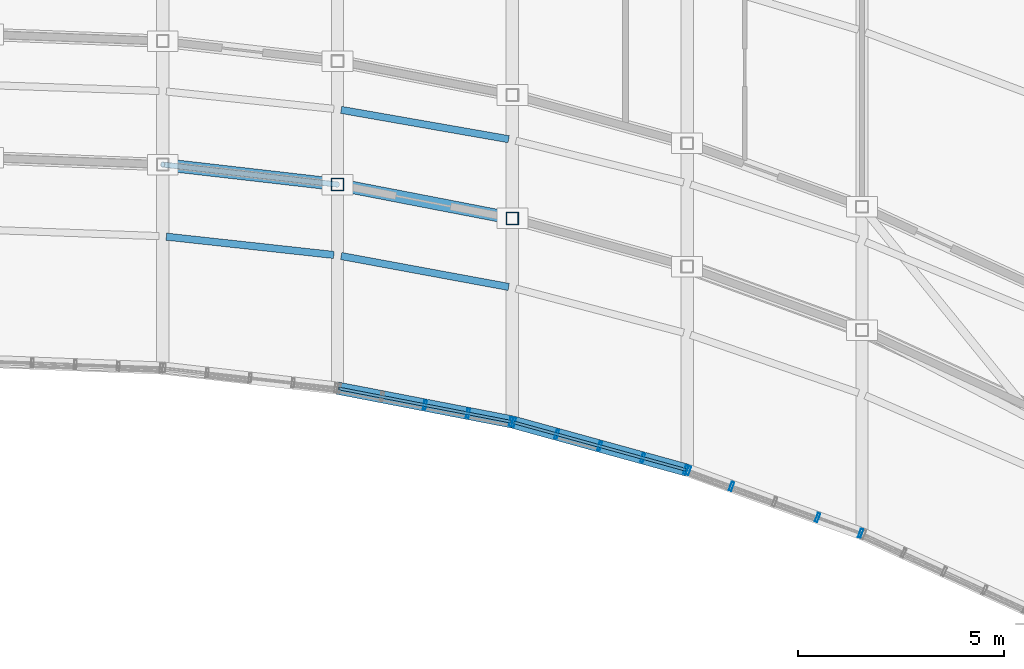
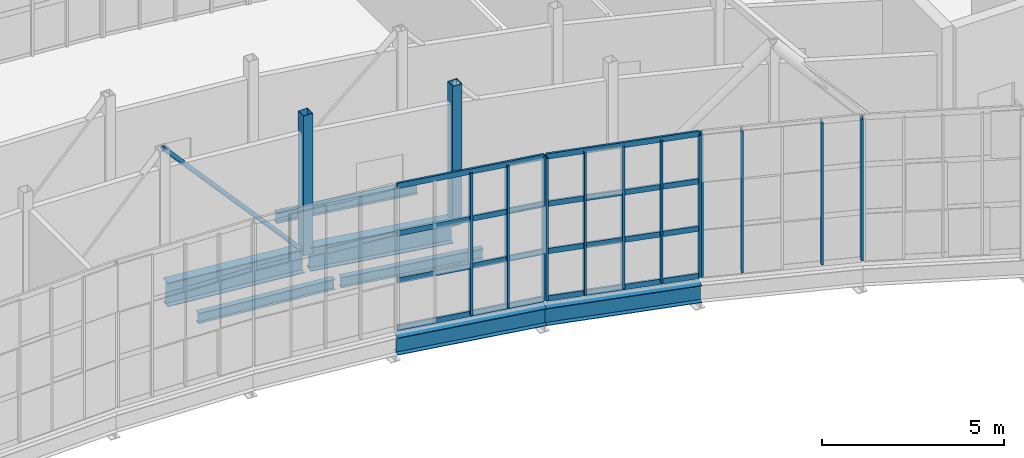
# One storey, part 22 of 46: 23 members, 7 beams, 3 elements without a shape of their own.
"""IFC4 building model written with IfcOpenShell, lengths in metres."""

from ifc_helpers import new_model, si_unit, direction, frame, origin, origin_2d, place, context, subcontext, project, spatial, hollow_rectangle, hollow_circle, i_section, extrude, material, material_profile, profile_set, type_object, element, aggregate, save


model = new_model("IFC4")

# Units and contexts
model_context = context("Model", 3, precision=1e-05, world=origin(), true_north=direction((0.0, 1.0)))
body_context = subcontext(model_context, "Body", "Model", "MODEL_VIEW")
ifc_project = project(units=[si_unit("LENGTHUNIT", "METRE"), si_unit("AREAUNIT", "SQUARE_METRE"), si_unit("VOLUMEUNIT", "CUBIC_METRE"), si_unit("PLANEANGLEUNIT", "RADIAN"), si_unit("MASSUNIT", "GRAM", prefix="KILO")], contexts=[model_context])

# Site, building, storey
site_placement = place(None, origin())
site = spatial("IfcSite", under=ifc_project, at=site_placement, CompositionType="ELEMENT")
building_placement = place(site_placement, origin())
building = spatial("IfcBuilding", under=site, at=building_placement, Name="Solvikara Media Centre", CompositionType="ELEMENT")
storey_placement = place(building_placement, frame((0.0, 0.0, 24.60009765625)))
storey = spatial("IfcBuildingStorey", under=building, at=storey_placement, Name="L05", CompositionType="ELEMENT", Elevation=24.60009765625)

# Beams
ifc_material_1 = material(Name="Steel S355JR", Category="steel")
ifc_material_profile_1 = material_profile(ifc_material_1, i_section(OverallWidth=0.300048828125, OverallDepth=0.800048828125, WebThickness=0.013916015625, FlangeThickness=0.02587890625, at=origin_2d()), Name="WF 800x300x14x26")
ifc_profile_set_1 = profile_set([ifc_material_profile_1], Name="Steel S355JR")
beam_type_1 = type_object("IfcBeamType", Name="BM-16", PredefinedType="BEAM", material=ifc_profile_set_1)
beam_1_placement = place(storey_placement, frame((106.339111328125, 30.2451171875, -0.6220703125), z_axis=(0.993485932274, -0.113954826025, 0.0), x_axis=(0.113954826025, 0.993485932274, 0.0)))
element("IfcBeam", 1, at=beam_1_placement, inside=storey, type_object=beam_type_1, Name="B-L05-SPNS-07", PredefinedType="BEAM", context=body_context, shape_type="SweptSolid", body=[
    extrude(i_section(OverallWidth=0.300048828125, OverallDepth=0.800048828125, WebThickness=0.013916015625, FlangeThickness=0.02587890625, at=origin_2d()), origin(), (0.0, 0.0, 1.0), 4.098388671875),
])
beam_2_placement = place(storey_placement, frame((110.587890625, 29.7509765625, -0.6220703125), z_axis=(0.981801087979, -0.189912147171, 0.0), x_axis=(0.189912147171, 0.981801087979, 0.0)))
element("IfcBeam", 2, at=beam_2_placement, inside=storey, type_object=beam_type_1, Name="B-L05-SPNS-08", PredefinedType="BEAM", context=body_context, shape_type="SweptSolid", body=[
    extrude(i_section(OverallWidth=0.300048828125, OverallDepth=0.800048828125, WebThickness=0.013916015625, FlangeThickness=0.02587890625, at=origin_2d()), origin(), (0.0, 0.0, 1.0), 4.149658203125),
])
ifc_material_profile_2 = material_profile(ifc_material_1, i_section(OverallWidth=0.175048828125, OverallDepth=0.35009765625, WebThickness=0.007080078125, FlangeThickness=0.010986328125, at=origin_2d()), Name="WF 350x175x7x11")
ifc_profile_set_2 = profile_set([ifc_material_profile_2], Name="Steel S355JR")
beam_type_2 = type_object("IfcBeamType", Name="BM-22", PredefinedType="JOIST", material=ifc_profile_set_2)
beam_3_placement = place(storey_placement, frame((106.339111328125, 28.501953125, -0.397216796875), z_axis=(0.994079138151, -0.108658488359, 0.0), x_axis=(0.108658488359, 0.994079138151, 0.0)))
element("IfcBeam", 3, at=beam_3_placement, inside=storey, type_object=beam_type_2, Name="BJ-L05-07-20", PredefinedType="JOIST", context=body_context, shape_type="SweptSolid", body=[
    extrude(i_section(OverallWidth=0.175048828125, OverallDepth=0.35009765625, WebThickness=0.007080078125, FlangeThickness=0.010986328125, at=origin_2d()), origin(), (0.0, 0.0, 1.0), 4.095947265625),
])
beam_4_placement = place(storey_placement, frame((110.589111328125, 28.031005859375, -0.397216796875), z_axis=(0.983371814175, -0.181603620797, 0.0), x_axis=(0.181603620797, 0.983371814175, 0.0)))
element("IfcBeam", 4, at=beam_4_placement, inside=storey, type_object=beam_type_2, Name="BJ-L05-08-20", PredefinedType="JOIST", context=body_context, shape_type="SweptSolid", body=[
    extrude(i_section(OverallWidth=0.175048828125, OverallDepth=0.35009765625, WebThickness=0.007080078125, FlangeThickness=0.010986328125, at=origin_2d()), origin(), (0.0, 0.0, 1.0), 4.140625),
])
beam_5_placement = place(storey_placement, frame((110.589111328125, 31.583984375, -0.397216796875), z_axis=(0.985016925608, -0.172457694134, 0.0), x_axis=(0.172457694134, 0.985016925608, 0.0)))
element("IfcBeam", 5, at=beam_5_placement, inside=storey, type_object=beam_type_2, Name="BJ-L05-08-42", PredefinedType="JOIST", context=body_context, shape_type="SweptSolid", body=[
    extrude(i_section(OverallWidth=0.175048828125, OverallDepth=0.35009765625, WebThickness=0.007080078125, FlangeThickness=0.010986328125, at=origin_2d()), origin(), (0.0, 0.0, 1.0), 4.1337890625),
])
ifc_material_profile_3 = material_profile(ifc_material_1, i_section(OverallWidth=0.300048828125, OverallDepth=0.58203125, WebThickness=0.011962890625, FlangeThickness=0.01708984375, at=origin_2d()), Name="WF 582x300x12x17")
ifc_profile_set_3 = profile_set([ifc_material_profile_3], Name="Steel S355JR")
beam_type_3 = type_object("IfcBeamType", Name="BM-31", PredefinedType="SPANDREL", material=ifc_profile_set_3)
beam_6_placement = place(storey_placement, frame((110.5, 24.818115234375, -0.51318359375), z_axis=(0.981803941213, -0.189897396029, 0.0), x_axis=(0.189897396029, 0.981803941213, 0.0)))
element("IfcBeam", 6, at=beam_6_placement, inside=storey, type_object=beam_type_3, Name="B-L05-SARC-08", PredefinedType="SPANDREL", context=body_context, shape_type="SweptSolid", body=[
    extrude(i_section(OverallWidth=0.300048828125, OverallDepth=0.58203125, WebThickness=0.011962890625, FlangeThickness=0.01708984375, at=origin_2d()), origin(), (0.0, 0.0, 1.0), 4.328857421875),
])
beam_7_placement = place(storey_placement, frame((114.75, 23.99609375, -0.51318359375), z_axis=(0.964009749544, -0.265866889221, 0.0), x_axis=(0.265866889221, 0.964009749544, 0.0)))
element("IfcBeam", 7, at=beam_7_placement, inside=storey, type_object=beam_type_3, Name="B-L05-SARC-09", PredefinedType="SPANDREL", context=body_context, shape_type="SweptSolid", body=[
    extrude(i_section(OverallWidth=0.300048828125, OverallDepth=0.58203125, WebThickness=0.011962890625, FlangeThickness=0.01708984375, at=origin_2d()), origin(), (0.0, 0.0, 1.0), 4.40869140625),
])

# Members
ifc_material_profile_4 = material_profile(ifc_material_1, hollow_circle(Radius=0.06982421875, WallThickness=0.00634765625, at=origin_2d()), Name="CHS 139.7x6.3")
ifc_profile_set_4 = profile_set([ifc_material_profile_4], Name="Steel S355JR")
member_type_1 = type_object("IfcMemberType", Name="MB-08", PredefinedType="BRACE", material=ifc_profile_set_4)
member_1_placement = place(storey_placement, frame((106.25, 30.2548828125, 4.25), z_axis=(0.668720864465, -0.076598656005, -0.739557334713), x_axis=(0.113800903571, 0.993503575407, 0.0)))
element("IfcMember", 8, at=member_1_placement, inside=storey, type_object=member_type_1, Name="WTR-L05-S-DB07", PredefinedType="BRACE", context=body_context, shape_type="SweptSolid", body=[
    extrude(hollow_circle(Radius=0.06982421875, WallThickness=0.00634765625, at=origin_2d()), origin(), (0.0, 0.0, 1.0), 6.35546875),
])
ifc_material_profile_5 = material_profile(ifc_material_1, hollow_rectangle(XDim=0.300048828125, YDim=0.300048828125, WallThickness=0.012451171875, at=origin_2d()), Name="RHS 300x300x12.5")
ifc_profile_set_5 = profile_set([ifc_material_profile_5], Name="Steel S355JR")
member_type_2 = type_object("IfcMemberType", Name="MB-11", PredefinedType="CHORD", material=ifc_profile_set_5)
for number, where, z_axis, x_axis, name in (
    (9, (110.5, 29.76806640625, -0.4501953125), (0.0, 0.0, 1.0), (1.0, 0.0, 0.0), "WTR-L05-S-V08"),
    (10, (114.75, 28.946044921875, -0.4501953125), (0.0, 0.0, 1.0), (1.0, 0.0, 0.0), "WTR-L05-S-V09"),
):
    element("IfcMember", number, at=place(storey_placement, frame(where, z_axis=z_axis, x_axis=x_axis)), inside=storey, type_object=member_type_2, Name=name, PredefinedType="CHORD", context=body_context, shape_type="SweptSolid", body=[
        extrude(hollow_rectangle(XDim=0.300048828125, YDim=0.300048828125, WallThickness=0.012451171875, at=origin_2d()), origin(), (0.0, 0.0, 1.0), 4.7001953125),
    ])

# Curtain wall, members
ifc_material_2 = material(Name="Anodised aluminium EN AW-6063", Category="aluminium")
curtain_wall_type = type_object("IfcCurtainWallType", Name="CW-01", PredefinedType="NOTDEFINED", material=ifc_material_2)
curtain_wall_1_placement = place(storey_placement, origin())
curtain_wall_1 = element("IfcCurtainWall", 11, at=curtain_wall_1_placement, inside=storey, type_object=curtain_wall_type, Name="CW-L05-SARC-08", PredefinedType="NOTDEFINED")
ifc_material_profile_6 = material_profile(ifc_material_2, hollow_rectangle(XDim=0.06494140625, YDim=0.219970703125, WallThickness=0.00390625, at=origin_2d()), Name="ALU-M 65x220x4")
ifc_profile_set_6 = profile_set([ifc_material_profile_6], Name="Anodised aluminium EN AW-6063")
member_type_3 = type_object("IfcMemberType", Name="MF-01", PredefinedType="MULLION", material=ifc_profile_set_6)
member_2_placement = place(storey_placement, frame((112.625, 24.406982421875, 0.02001953125), z_axis=(0.0, 0.0, 1.0), x_axis=(0.981843017659, -0.189695252114, 0.0)))
member_2 = element("IfcMember", 12, at=member_2_placement, type_object=member_type_3, Name="CW-L05-SARC-08-M02", PredefinedType="MULLION", context=body_context, shape_type="SweptSolid", body=[
    extrude(hollow_rectangle(XDim=0.06494140625, YDim=0.219970703125, WallThickness=0.00390625, at=origin_2d()), origin(), (0.0, 0.0, 1.0), 4.759765625),
])
member_3_placement = place(storey_placement, frame((113.6708984375, 24.205078125, 0.02001953125), z_axis=(0.0, 0.0, 1.0), x_axis=(0.981843017659, -0.189695252114, 0.0)))
member_3 = element("IfcMember", 13, at=member_3_placement, type_object=member_type_3, Name="CW-L05-SARC-08-M03", PredefinedType="MULLION", context=body_context, shape_type="SweptSolid", body=[
    extrude(hollow_rectangle(XDim=0.06494140625, YDim=0.219970703125, WallThickness=0.00390625, at=origin_2d()), origin(), (0.0, 0.0, 1.0), 4.759765625),
])
member_4_placement = place(storey_placement, frame((114.716064453125, 24.0029296875, 0.02001953125), z_axis=(0.0, 0.0, 1.0), x_axis=(0.981843017659, -0.189695252114, 0.0)))
member_4 = element("IfcMember", 14, at=member_4_placement, type_object=member_type_3, Name="CW-L05-SARC-08-M04", PredefinedType="MULLION", context=body_context, shape_type="SweptSolid", body=[
    extrude(hollow_rectangle(XDim=0.06494140625, YDim=0.219970703125, WallThickness=0.00390625, at=origin_2d()), origin(), (0.0, 0.0, 1.0), 4.759765625),
])

curtain_wall_2_placement = place(storey_placement, origin())
curtain_wall_2 = element("IfcCurtainWall", 15, at=curtain_wall_2_placement, inside=storey, type_object=curtain_wall_type, Name="CW-L05-SARC-09", PredefinedType="NOTDEFINED")
member_5_placement = place(storey_placement, frame((114.783935546875, 23.987060546875, 0.02001953125), z_axis=(0.0, 0.0, 1.0), x_axis=(0.96397015682, -0.26601040724, 0.0)))
member_5 = element("IfcMember", 16, at=member_5_placement, type_object=member_type_3, Name="CW-L05-SARC-09-M00", PredefinedType="MULLION", context=body_context, shape_type="SweptSolid", body=[
    extrude(hollow_rectangle(XDim=0.06494140625, YDim=0.219970703125, WallThickness=0.00390625, at=origin_2d()), origin(), (0.0, 0.0, 1.0), 4.759765625),
])
member_6_placement = place(storey_placement, frame((115.830078125, 23.697998046875, 0.02001953125), z_axis=(0.0, 0.0, 1.0), x_axis=(0.96397015682, -0.26601040724, 0.0)))
member_6 = element("IfcMember", 17, at=member_6_placement, type_object=member_type_3, Name="CW-L05-SARC-09-M01", PredefinedType="MULLION", context=body_context, shape_type="SweptSolid", body=[
    extrude(hollow_rectangle(XDim=0.06494140625, YDim=0.219970703125, WallThickness=0.00390625, at=origin_2d()), origin(), (0.0, 0.0, 1.0), 4.759765625),
])
member_7_placement = place(storey_placement, frame((116.875, 23.409912109375, 0.02001953125), z_axis=(0.0, 0.0, 1.0), x_axis=(0.96397015682, -0.26601040724, 0.0)))
member_7 = element("IfcMember", 18, at=member_7_placement, type_object=member_type_3, Name="CW-L05-SARC-09-M02", PredefinedType="MULLION", context=body_context, shape_type="SweptSolid", body=[
    extrude(hollow_rectangle(XDim=0.06494140625, YDim=0.219970703125, WallThickness=0.00390625, at=origin_2d()), origin(), (0.0, 0.0, 1.0), 4.759765625),
])
member_8_placement = place(storey_placement, frame((117.9208984375, 23.12109375, 0.02001953125), z_axis=(0.0, 0.0, 1.0), x_axis=(0.96397015682, -0.26601040724, 0.0)))
member_8 = element("IfcMember", 19, at=member_8_placement, type_object=member_type_3, Name="CW-L05-SARC-09-M03", PredefinedType="MULLION", context=body_context, shape_type="SweptSolid", body=[
    extrude(hollow_rectangle(XDim=0.06494140625, YDim=0.219970703125, WallThickness=0.00390625, at=origin_2d()), origin(), (0.0, 0.0, 1.0), 4.759765625),
])
member_9_placement = place(storey_placement, frame((118.966064453125, 22.8330078125, 0.02001953125), z_axis=(0.0, 0.0, 1.0), x_axis=(0.96397015682, -0.26601040724, 0.0)))
member_9 = element("IfcMember", 20, at=member_9_placement, type_object=member_type_3, Name="CW-L05-SARC-09-M04", PredefinedType="MULLION", context=body_context, shape_type="SweptSolid", body=[
    extrude(hollow_rectangle(XDim=0.06494140625, YDim=0.219970703125, WallThickness=0.00390625, at=origin_2d()), origin(), (0.0, 0.0, 1.0), 4.759765625),
])

curtain_wall_3_placement = place(storey_placement, origin())
curtain_wall_3 = element("IfcCurtainWall", 21, at=curtain_wall_3_placement, inside=storey, type_object=curtain_wall_type, Name="CW-L05-SARC-10", PredefinedType="NOTDEFINED")
member_10_placement = place(storey_placement, frame((119.032958984375, 22.81201171875, 0.02001953125), z_axis=(0.0, 0.0, 1.0), x_axis=(0.939823877818, -0.341659302058, 0.0)))
member_10 = element("IfcMember", 22, at=member_10_placement, type_object=member_type_3, Name="CW-L05-SARC-10-M00", PredefinedType="MULLION", context=body_context, shape_type="SweptSolid", body=[
    extrude(hollow_rectangle(XDim=0.06494140625, YDim=0.219970703125, WallThickness=0.00390625, at=origin_2d()), origin(), (0.0, 0.0, 1.0), 4.759765625),
])
member_11_placement = place(storey_placement, frame((120.0791015625, 22.431884765625, 0.02001953125), z_axis=(0.0, 0.0, 1.0), x_axis=(0.939823877818, -0.341659302058, 0.0)))
member_11 = element("IfcMember", 23, at=member_11_placement, type_object=member_type_3, Name="CW-L05-SARC-10-M01", PredefinedType="MULLION", context=body_context, shape_type="SweptSolid", body=[
    extrude(hollow_rectangle(XDim=0.06494140625, YDim=0.219970703125, WallThickness=0.00390625, at=origin_2d()), origin(), (0.0, 0.0, 1.0), 4.759765625),
])
member_12_placement = place(storey_placement, frame((122.1708984375, 21.6708984375, 0.02001953125), z_axis=(0.0, 0.0, 1.0), x_axis=(0.939823877818, -0.341659302058, 0.0)))
member_12 = element("IfcMember", 24, at=member_12_placement, type_object=member_type_3, Name="CW-L05-SARC-10-M03", PredefinedType="MULLION", context=body_context, shape_type="SweptSolid", body=[
    extrude(hollow_rectangle(XDim=0.06494140625, YDim=0.219970703125, WallThickness=0.00390625, at=origin_2d()), origin(), (0.0, 0.0, 1.0), 4.759765625),
])
member_13_placement = place(storey_placement, frame((123.217041015625, 21.291015625, 0.02001953125), z_axis=(0.0, 0.0, 1.0), x_axis=(0.939823877818, -0.341659302058, 0.0)))
member_13 = element("IfcMember", 25, at=member_13_placement, type_object=member_type_3, Name="CW-L05-SARC-10-M04", PredefinedType="MULLION", context=body_context, shape_type="SweptSolid", body=[
    extrude(hollow_rectangle(XDim=0.06494140625, YDim=0.219970703125, WallThickness=0.00390625, at=origin_2d()), origin(), (0.0, 0.0, 1.0), 4.759765625),
])
aggregate(curtain_wall_3, [member_10, member_11, member_12, member_13])

# Member
ifc_material_profile_7 = material_profile(ifc_material_2, hollow_rectangle(XDim=0.06494140625, YDim=0.179931640625, WallThickness=0.00341796875, at=origin_2d()), Name="ALU-T 65x180x3.5")
ifc_profile_set_7 = profile_set([ifc_material_profile_7], Name="Anodised aluminium EN AW-6063")
member_type_4 = type_object("IfcMemberType", Name="MF-07", PredefinedType="USERDEFINED", material=ifc_profile_set_7)
member_14_placement = place(storey_placement, frame((110.533935546875, 24.81103515625, 0.02001953125), z_axis=(0.981838442996, -0.189718928565, 0.0), x_axis=(0.189718928565, 0.981838442996, 0.0)))
member_14 = element("IfcMember", 26, at=member_14_placement, type_object=member_type_4, Name="CW-L05-SARC-08-T00", ObjectType="TRANSOM", PredefinedType="USERDEFINED", context=body_context, shape_type="SweptSolid", body=[
    extrude(hollow_rectangle(XDim=0.06494140625, YDim=0.179931640625, WallThickness=0.00341796875, at=origin_2d()), origin(), (0.0, 0.0, 1.0), 4.259521484375),
])

member_15_placement = place(storey_placement, frame((110.533935546875, 24.81103515625, 1.60693359375), z_axis=(0.981838442996, -0.189718928565, 0.0), x_axis=(0.189718928565, 0.981838442996, 0.0)))
member_15 = element("IfcMember", 27, at=member_15_placement, type_object=member_type_4, Name="CW-L05-SARC-08-T01", ObjectType="TRANSOM", PredefinedType="USERDEFINED", context=body_context, shape_type="SweptSolid", body=[
    extrude(hollow_rectangle(XDim=0.06494140625, YDim=0.179931640625, WallThickness=0.00341796875, at=origin_2d()), origin(), (0.0, 0.0, 1.0), 4.259521484375),
])

member_16_placement = place(storey_placement, frame((110.533935546875, 24.81103515625, 3.19287109375), z_axis=(0.981838442996, -0.189718928565, 0.0), x_axis=(0.189718928565, 0.981838442996, 0.0)))
member_16 = element("IfcMember", 28, at=member_16_placement, type_object=member_type_4, Name="CW-L05-SARC-08-T02", ObjectType="TRANSOM", PredefinedType="USERDEFINED", context=body_context, shape_type="SweptSolid", body=[
    extrude(hollow_rectangle(XDim=0.06494140625, YDim=0.179931640625, WallThickness=0.00341796875, at=origin_2d()), origin(), (0.0, 0.0, 1.0), 4.259521484375),
])

member_17_placement = place(storey_placement, frame((110.533935546875, 24.81103515625, 4.77978515625), z_axis=(0.981838442996, -0.189718928565, 0.0), x_axis=(0.189718928565, 0.981838442996, 0.0)))
member_17 = element("IfcMember", 29, at=member_17_placement, type_object=member_type_4, Name="CW-L05-SARC-08-T03", ObjectType="TRANSOM", PredefinedType="USERDEFINED", context=body_context, shape_type="SweptSolid", body=[
    extrude(hollow_rectangle(XDim=0.06494140625, YDim=0.179931640625, WallThickness=0.00341796875, at=origin_2d()), origin(), (0.0, 0.0, 1.0), 4.259521484375),
])

aggregate(curtain_wall_1, [member_2, member_3, member_4, member_14, member_15, member_16, member_17])

member_18_placement = place(storey_placement, frame((114.783935546875, 23.987060546875, 0.02001953125), z_axis=(0.963971224803, -0.266006537049, 0.0), x_axis=(0.266006537049, 0.963971224803, 0.0)))
member_18 = element("IfcMember", 30, at=member_18_placement, type_object=member_type_4, Name="CW-L05-SARC-09-T00", ObjectType="TRANSOM", PredefinedType="USERDEFINED", context=body_context, shape_type="SweptSolid", body=[
    extrude(hollow_rectangle(XDim=0.06494140625, YDim=0.179931640625, WallThickness=0.00341796875, at=origin_2d()), origin(), (0.0, 0.0, 1.0), 4.33837890625),
])

member_19_placement = place(storey_placement, frame((114.783935546875, 23.987060546875, 1.60693359375), z_axis=(0.963971224803, -0.266006537049, 0.0), x_axis=(0.266006537049, 0.963971224803, 0.0)))
member_19 = element("IfcMember", 31, at=member_19_placement, type_object=member_type_4, Name="CW-L05-SARC-09-T01", ObjectType="TRANSOM", PredefinedType="USERDEFINED", context=body_context, shape_type="SweptSolid", body=[
    extrude(hollow_rectangle(XDim=0.06494140625, YDim=0.179931640625, WallThickness=0.00341796875, at=origin_2d()), origin(), (0.0, 0.0, 1.0), 4.33837890625),
])

member_20_placement = place(storey_placement, frame((114.783935546875, 23.987060546875, 3.19287109375), z_axis=(0.963971224803, -0.266006537049, 0.0), x_axis=(0.266006537049, 0.963971224803, 0.0)))
member_20 = element("IfcMember", 32, at=member_20_placement, type_object=member_type_4, Name="CW-L05-SARC-09-T02", ObjectType="TRANSOM", PredefinedType="USERDEFINED", context=body_context, shape_type="SweptSolid", body=[
    extrude(hollow_rectangle(XDim=0.06494140625, YDim=0.179931640625, WallThickness=0.00341796875, at=origin_2d()), origin(), (0.0, 0.0, 1.0), 4.33837890625),
])

member_21_placement = place(storey_placement, frame((114.783935546875, 23.987060546875, 4.77978515625), z_axis=(0.963971224803, -0.266006537049, 0.0), x_axis=(0.266006537049, 0.963971224803, 0.0)))
member_21 = element("IfcMember", 33, at=member_21_placement, type_object=member_type_4, Name="CW-L05-SARC-09-T03", ObjectType="TRANSOM", PredefinedType="USERDEFINED", context=body_context, shape_type="SweptSolid", body=[
    extrude(hollow_rectangle(XDim=0.06494140625, YDim=0.179931640625, WallThickness=0.00341796875, at=origin_2d()), origin(), (0.0, 0.0, 1.0), 4.33837890625),
])

aggregate(curtain_wall_2, [member_5, member_6, member_7, member_8, member_9, member_18, member_19, member_20, member_21])

save(model, "model.ifc")
